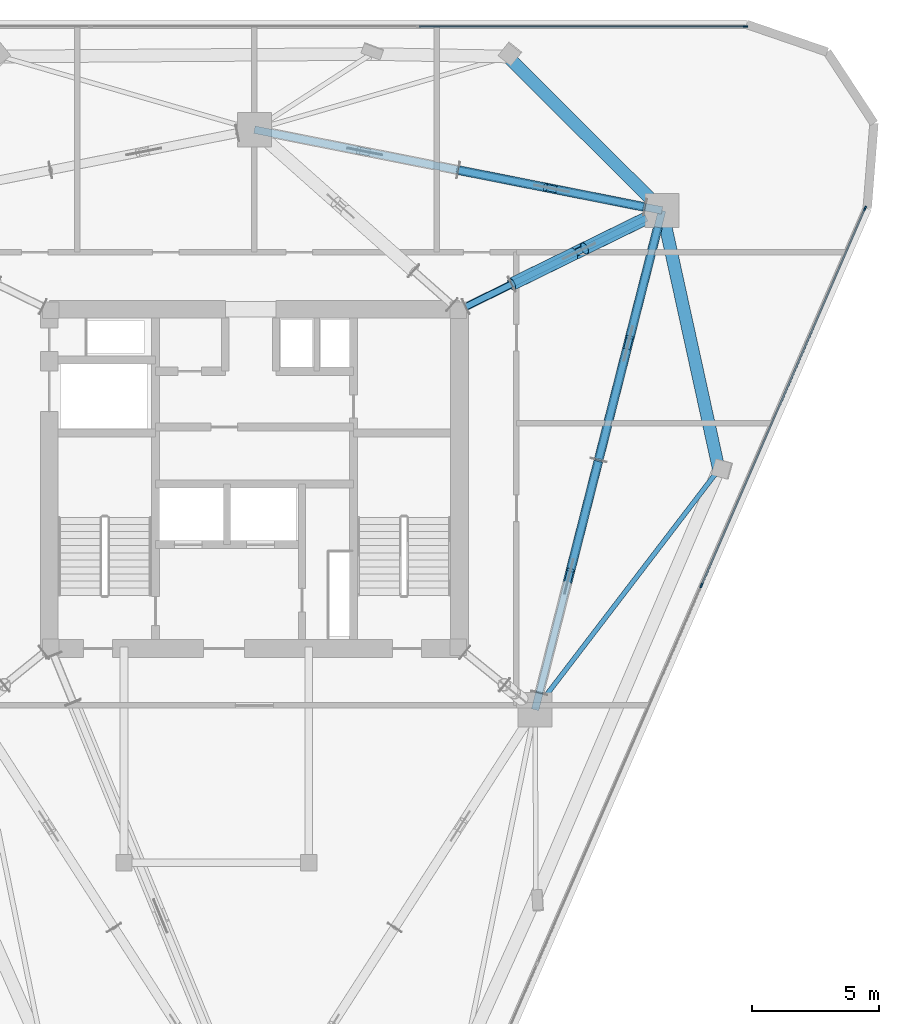
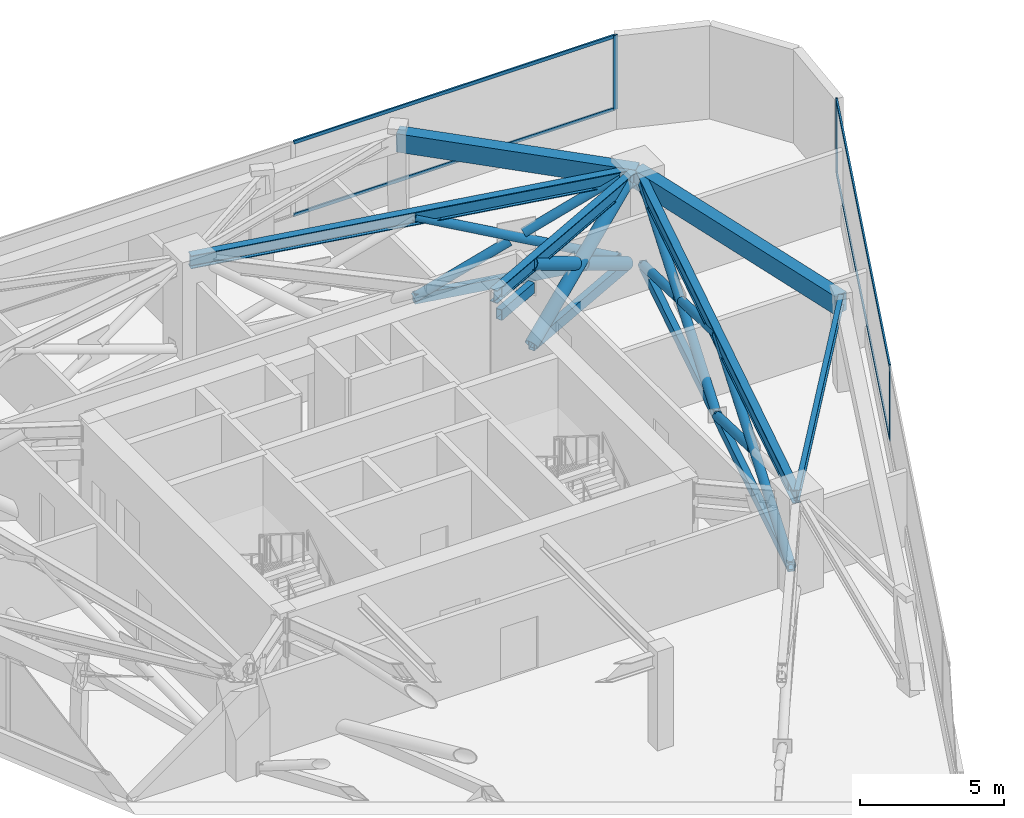
# One storey, part 7 of 12: 28 members, 6 beams, 2 elements without a shape of their own.
"""IFC4 building model written with IfcOpenShell, lengths in metres."""

from ifc_helpers import new_model, si_unit, direction, frame, origin, origin_2d, place, context, subcontext, project, spatial, rectangle, hollow_rectangle, hollow_circle, i_section, extrude, material, layer, layer_set, material_profile, profile_set, type_object, element, aggregate, save


model = new_model("IFC4")

# Units and contexts
model_context = context("Model", 3, precision=1e-05, world=origin(), true_north=direction((0.0, 1.0)))
body_context = subcontext(model_context, "Body", "Model", "MODEL_VIEW")
ifc_project = project(units=[si_unit("LENGTHUNIT", "METRE"), si_unit("AREAUNIT", "SQUARE_METRE"), si_unit("VOLUMEUNIT", "CUBIC_METRE"), si_unit("PLANEANGLEUNIT", "RADIAN"), si_unit("MASSUNIT", "GRAM", prefix="KILO")], contexts=[model_context])

# Site, building, storey
site_placement = place(None, origin())
site = spatial("IfcSite", under=ifc_project, at=site_placement, CompositionType="ELEMENT")
building_placement = place(site_placement, origin())
building = spatial("IfcBuilding", under=site, at=building_placement, Name="Talyreon Biosciences Tower", CompositionType="ELEMENT")
storey_placement = place(building_placement, frame((0.0, 0.0, 227.39990234375)))
storey = spatial("IfcBuildingStorey", under=building, at=storey_placement, Name="L60", CompositionType="ELEMENT", Elevation=227.39990234375)

# Members
ifc_material_1 = material(Name="Steel SM355", Category="steel")
ifc_material_profile_1 = material_profile(ifc_material_1, hollow_circle(Radius=0.177734375, WallThickness=0.01416015625, at=origin_2d()), Name="CHS 355.6x14.2")
ifc_profile_set_1 = profile_set([ifc_material_profile_1], Name="Steel SM355")
member_type_1 = type_object("IfcMemberType", Name="BeltBrace_CHS355", PredefinedType="BRACE", material=ifc_profile_set_1)
member_1_placement = place(storey_placement, frame((77.255126953125, 59.544189453125, 0.239990234375), z_axis=(0.231608539621, 0.910479494446, 0.342614323354), x_axis=(-0.969135299617, 0.246529452677, 0.0)))
element("IfcMember", 1, at=member_1_placement, inside=storey, type_object=member_type_1, Name="L60 Continuous Diagonal BELT-L60-B2S1A", PredefinedType="BRACE", context=body_context, shape_type="SweptSolid", body=[
    extrude(hollow_circle(Radius=0.177734375, WallThickness=0.01416015625, at=origin_2d()), origin(), (0.0, 0.0, 1.0), 10.099365234375),
])
member_2_placement = place(storey_placement, frame((79.59423828125, 68.739501953125, 0.239990234375), z_axis=(-0.23161064965, -0.910472980326, 0.34263020746), x_axis=(0.969134341584, -0.246533218781, 0.0)))
element("IfcMember", 2, at=member_2_placement, inside=storey, type_object=member_type_1, Name="L60 Split Diagonal BELT-L60-B2S1B-Lower", PredefinedType="BRACE", context=body_context, shape_type="SweptSolid", body=[
    extrude(hollow_circle(Radius=0.177734375, WallThickness=0.01416015625, at=origin_2d()), origin(), (0.0, 0.0, 1.0), 4.769775390625),
])
member_3_placement = place(storey_placement, frame((79.59423828125, 68.739501953125, 0.239990234375), z_axis=(0.231631416423, 0.910474396591, 0.342612405026), x_axis=(-0.969129151675, 0.246553619673, 0.0)))
element("IfcMember", 3, at=member_3_placement, inside=storey, type_object=member_type_1, Name="L60 Continuous Diagonal BELT-L60-B2S2A", PredefinedType="BRACE", context=body_context, shape_type="SweptSolid", body=[
    extrude(hollow_circle(Radius=0.177734375, WallThickness=0.01416015625, at=origin_2d()), origin(), (0.0, 0.0, 1.0), 10.099365234375),
])
for number, where, z_axis, x_axis, name in (
    (4, (81.93359375, 77.934814453125, 0.239990234375), (-0.23161064965, -0.910472980326, 0.34263020746), (0.969134341584, -0.246533218781, 0.0), "L60 Split Diagonal BELT-L60-B2S2B-Lower"),
    (5, (80.698974609375, 73.082275390625, 2.06591796875), (-0.23161064965, -0.910472980326, 0.34263020746), (0.969134341584, -0.246533218781, 0.0), "L60 Split Diagonal BELT-L60-B2S2B-Upper"),
):
    element("IfcMember", number, at=place(storey_placement, frame(where, z_axis=z_axis, x_axis=x_axis)), inside=storey, type_object=member_type_1, Name=name, PredefinedType="BRACE", context=body_context, shape_type="SweptSolid", body=[
        extrude(hollow_circle(Radius=0.177734375, WallThickness=0.01416015625, at=origin_2d()), origin(), (0.0, 0.0, 1.0), 4.769775390625),
    ])
member_4_placement = place(storey_placement, frame((81.430419921875, 78.731689453125, 0.239990234375), z_axis=(-0.891173230377, 0.176583506261, 0.417885796332), x_axis=(-0.194368289089, -0.980928625434, 0.0)))
element("IfcMember", 6, at=member_4_placement, inside=storey, type_object=member_type_1, Name="L60 Continuous Diagonal BELT-L60-B3S1A", PredefinedType="BRACE", context=body_context, shape_type="SweptSolid", body=[
    extrude(hollow_circle(Radius=0.177734375, WallThickness=0.01416015625, at=origin_2d()), origin(), (0.0, 0.0, 1.0), 8.2802734375),
])
member_5_placement = place(storey_placement, frame((74.05126953125, 80.19384765625, 0.239990234375), z_axis=(0.891172955279, -0.176590127121, 0.417883585204), x_axis=(0.194375359175, 0.98092722449, 0.0)))
element("IfcMember", 7, at=member_5_placement, inside=storey, type_object=member_type_1, Name="L60 Split Diagonal BELT-L60-B3S1B-Lower", PredefinedType="BRACE", context=body_context, shape_type="SweptSolid", body=[
    extrude(hollow_circle(Radius=0.177734375, WallThickness=0.01416015625, at=origin_2d()), origin(), (0.0, 0.0, 1.0), 3.860107421875),
])
member_6_placement = place(storey_placement, frame((77.990234375, 79.413330078125, 2.087158203125), z_axis=(0.891185971424, -0.176580174027, 0.417860032162), x_axis=(0.194362086003, 0.980929854538, 0.0)))
element("IfcMember", 8, at=member_6_placement, inside=storey, type_object=member_type_1, Name="L60 Split Diagonal BELT-L60-B3S1B-Upper", PredefinedType="BRACE", context=body_context, shape_type="SweptSolid", body=[
    extrude(hollow_circle(Radius=0.177734375, WallThickness=0.01416015625, at=origin_2d()), origin(), (0.0, 0.0, 1.0), 3.8603515625),
])
ifc_material_profile_2 = material_profile(ifc_material_1, hollow_rectangle(XDim=0.25, YDim=0.39990234375, WallThickness=0.01611328125, at=origin_2d()), Name="RHS 400x250x16")
ifc_profile_set_2 = profile_set([ifc_material_profile_2], Name="Steel SM355")
member_type_2 = type_object("IfcMemberType", Name="BeltChord_RHS400x250", PredefinedType="CHORD", material=ifc_profile_set_2)
for number, where, z_axis, x_axis, name in (
    (9, (77.255126953125, 59.544189453125, 0.239990234375), (0.246529452677, 0.969135299617, 0.0), (-0.969135299617, 0.246529452677, 0.0), "L60 Truss Bottom Chord BELT-L60-B2S1"),
    (10, (77.255126953125, 59.544189453125, 3.7001953125), (0.246529452677, 0.969135299617, 0.0), (-0.969135299617, 0.246529452677, 0.0), "L60 Truss Top Chord BELT-L60-B2S1"),
    (11, (79.59423828125, 68.739501953125, 0.239990234375), (0.246553619673, 0.969129151675, 0.0), (-0.969129151675, 0.246553619673, 0.0), "L60 Truss Bottom Chord BELT-L60-B2S2"),
    (12, (79.59423828125, 68.739501953125, 3.7001953125), (0.246553619673, 0.969129151675, 0.0), (-0.969129151675, 0.246553619673, 0.0), "L60 Truss Top Chord BELT-L60-B2S2"),
):
    element("IfcMember", number, at=place(storey_placement, frame(where, z_axis=z_axis, x_axis=x_axis)), inside=storey, type_object=member_type_2, Name=name, PredefinedType="CHORD", context=body_context, shape_type="SweptSolid", body=[
        extrude(hollow_rectangle(XDim=0.25, YDim=0.39990234375, WallThickness=0.01611328125, at=origin_2d()), origin(), (0.0, 0.0, 1.0), 9.48828125),
    ])
for number, where, z_axis, x_axis, name in (
    (13, (81.430419921875, 78.731689453125, 0.239990234375), (-0.980928625434, 0.194368289089, 0.0), (-0.194368289089, -0.980928625434, 0.0), "L60 Truss Bottom Chord BELT-L60-B3S1"),
    (14, (81.430419921875, 78.731689453125, 3.7001953125), (-0.980928625434, 0.194368289089, 0.0), (-0.194368289089, -0.980928625434, 0.0), "L60 Truss Top Chord BELT-L60-B3S1"),
):
    element("IfcMember", number, at=place(storey_placement, frame(where, z_axis=z_axis, x_axis=x_axis)), inside=storey, type_object=member_type_2, Name=name, PredefinedType="CHORD", context=body_context, shape_type="SweptSolid", body=[
        extrude(hollow_rectangle(XDim=0.25, YDim=0.39990234375, WallThickness=0.01611328125, at=origin_2d()), origin(), (0.0, 0.0, 1.0), 7.522705078125),
    ])

# Curtain wall, member
ifc_material_2 = material(Name="Thermally broken aluminium and low-E glazing", Category="aluminium")
ifc_layer = layer(ifc_material_2, 0.179931640625)
ifc_layer_set = layer_set([ifc_layer], Name="Thermally broken aluminium and low-E glazing")
curtain_wall_type = type_object("IfcCurtainWallType", Name="CurtainWall_Zone4Optical", PredefinedType="NOTDEFINED", material=ifc_layer_set)
curtain_wall_1_placement = place(storey_placement, origin())
curtain_wall_1 = element("IfcCurtainWall", 15, at=curtain_wall_1_placement, inside=storey, type_object=curtain_wall_type, Name="L60 Unitised Curtain Wall FCW-L60-04", PredefinedType="NOTDEFINED")
ifc_material_3 = material(Name="Anodised thermally broken aluminium", Category="aluminium")
ifc_material_profile_3 = material_profile(ifc_material_3, rectangle(XDim=0.06494140625, YDim=0.179931640625, at=origin_2d()), Name="ALUM MULLION 65x180")
ifc_profile_set_3 = profile_set([ifc_material_profile_3], Name="Anodised thermally broken aluminium")
member_type_3 = type_object("IfcMemberType", Name="CWMullion_65x180", PredefinedType="MULLION", material=ifc_profile_set_3)
member_7_placement = place(storey_placement, frame((85.402099609375, 85.87158203125, 0.81005859375), z_axis=(0.0, 0.0, 1.0), x_axis=(0.0, 1.0, 0.0)))
member_7 = element("IfcMember", 16, at=member_7_placement, type_object=member_type_3, Name="CW5 mullion 4", PredefinedType="MULLION", context=body_context, shape_type="SweptSolid", body=[
    extrude(rectangle(XDim=0.06494140625, YDim=0.179931640625, at=origin_2d()), origin(), (0.0, 0.0, 1.0), 3.14013671875),
])

# Curtain wall, members
curtain_wall_2_placement = place(storey_placement, origin())
curtain_wall_2 = element("IfcCurtainWall", 17, at=curtain_wall_2_placement, inside=storey, type_object=curtain_wall_type, Name="L60 Unitised Curtain Wall FCW-L60-08", PredefinedType="NOTDEFINED")
member_8_placement = place(storey_placement, frame((90.118408203125, 78.683349609375, 0.81005859375), z_axis=(0.0, 0.0, 1.0), x_axis=(0.917336640876, -0.398112405366, 0.0)))
member_8 = element("IfcMember", 18, at=member_8_placement, type_object=member_type_3, Name="CW5 mullion 1", PredefinedType="MULLION", context=body_context, shape_type="SweptSolid", body=[
    extrude(rectangle(XDim=0.06494140625, YDim=0.179931640625, at=origin_2d()), origin(), (0.0, 0.0, 1.0), 3.14013671875),
])
member_9_placement = place(storey_placement, frame((83.6533203125, 63.785888671875, 0.81005859375), z_axis=(0.0, 0.0, 1.0), x_axis=(0.917336640876, -0.398112405366, 0.0)))
member_9 = element("IfcMember", 19, at=member_9_placement, type_object=member_type_3, Name="CW5 mullion 2", PredefinedType="MULLION", context=body_context, shape_type="SweptSolid", body=[
    extrude(rectangle(XDim=0.06494140625, YDim=0.179931640625, at=origin_2d()), origin(), (0.0, 0.0, 1.0), 3.14013671875),
])

# Member
ifc_material_profile_4 = material_profile(ifc_material_3, rectangle(XDim=0.06494140625, YDim=0.139892578125, at=origin_2d()), Name="ALUM TRANSOM 65x140")
ifc_profile_set_4 = profile_set([ifc_material_profile_4], Name="Anodised thermally broken aluminium")
member_type_4 = type_object("IfcMemberType", Name="CWTransom_65x140", PredefinedType="USERDEFINED", material=ifc_profile_set_4)
member_10_placement = place(storey_placement, frame((72.5107421875, 85.87158203125, 0.842529296875), z_axis=(1.0, 0.0, 0.0), x_axis=(0.0, 1.0, 0.0)))
member_10 = element("IfcMember", 20, at=member_10_placement, type_object=member_type_4, Name="CW5 transom 3.1", ObjectType="TRANSOM", PredefinedType="USERDEFINED", context=body_context, shape_type="SweptSolid", body=[
    extrude(rectangle(XDim=0.06494140625, YDim=0.139892578125, at=origin_2d()), origin(), (0.0, 0.0, 1.0), 12.85888671875),
])

member_11_placement = place(storey_placement, frame((72.5107421875, 85.87158203125, 3.91748046875), z_axis=(1.0, 0.0, 0.0), x_axis=(0.0, 1.0, 0.0)))
member_11 = element("IfcMember", 21, at=member_11_placement, type_object=member_type_4, Name="CW5 transom 3.2", ObjectType="TRANSOM", PredefinedType="USERDEFINED", context=body_context, shape_type="SweptSolid", body=[
    extrude(rectangle(XDim=0.06494140625, YDim=0.139892578125, at=origin_2d()), origin(), (0.0, 0.0, 1.0), 12.85888671875),
])

aggregate(curtain_wall_1, [member_7, member_10, member_11])

member_12_placement = place(storey_placement, frame((90.10546875, 78.653564453125, 0.842529296875), z_axis=(-0.398099588732, -0.917342203025, 0.0), x_axis=(0.917342203025, -0.398099588732, 0.0)))
member_12 = element("IfcMember", 22, at=member_12_placement, type_object=member_type_4, Name="CW5 transom 1.1", ObjectType="TRANSOM", PredefinedType="USERDEFINED", context=body_context, shape_type="SweptSolid", body=[
    extrude(rectangle(XDim=0.06494140625, YDim=0.139892578125, at=origin_2d()), origin(), (0.0, 0.0, 1.0), 16.1748046875),
])

member_13_placement = place(storey_placement, frame((90.10546875, 78.653564453125, 3.91748046875), z_axis=(-0.398099588732, -0.917342203025, 0.0), x_axis=(0.917342203025, -0.398099588732, 0.0)))
member_13 = element("IfcMember", 23, at=member_13_placement, type_object=member_type_4, Name="CW5 transom 1.2", ObjectType="TRANSOM", PredefinedType="USERDEFINED", context=body_context, shape_type="SweptSolid", body=[
    extrude(rectangle(XDim=0.06494140625, YDim=0.139892578125, at=origin_2d()), origin(), (0.0, 0.0, 1.0), 16.1748046875),
])

aggregate(curtain_wall_2, [member_8, member_9, member_12, member_13])

# Beams
ifc_material_4 = material(Name="Precast concrete C45/55", Category="concrete")
ifc_material_profile_5 = material_profile(ifc_material_4, rectangle(XDim=0.5, YDim=0.780029296875, at=origin_2d()), Name="RCB 500x780")
ifc_profile_set_5 = profile_set([ifc_material_profile_5], Name="Precast concrete C45/55")
beam_type_1 = type_object("IfcBeamType", Name="ExpressedSpandrel_500x780", PredefinedType="SPANDREL", material=ifc_profile_set_5)
beam_1_placement = place(storey_placement, frame((84.342529296875, 68.37109375, 3.56005859375), z_axis=(-0.213966691033, 0.976840956926, 0.0), x_axis=(-0.976840956926, -0.213966691033, 0.0)))
element("IfcBeam", 24, at=beam_1_placement, inside=storey, type_object=beam_type_1, Name="L60 Expressed Horizontal Concrete Spandrel 04", PredefinedType="SPANDREL", context=body_context, shape_type="SweptSolid", body=[
    extrude(rectangle(XDim=0.5, YDim=0.780029296875, at=origin_2d()), origin(), (0.0, 0.0, 1.0), 10.469970703125),
])
beam_2_placement = place(storey_placement, frame((82.102294921875, 78.5986328125, 3.56005859375), z_axis=(-0.70790039074, 0.706312279937, 0.0), x_axis=(-0.706312279937, -0.70790039074, 0.0)))
element("IfcBeam", 25, at=beam_2_placement, inside=storey, type_object=beam_type_1, Name="L60 Expressed Horizontal Concrete Spandrel 05", PredefinedType="SPANDREL", context=body_context, shape_type="SweptSolid", body=[
    extrude(rectangle(XDim=0.5, YDim=0.780029296875, at=origin_2d()), origin(), (0.0, 0.0, 1.0), 8.60888671875),
])

# Members
ifc_material_profile_6 = material_profile(ifc_material_1, hollow_circle(Radius=0.25390625, WallThickness=0.02001953125, at=origin_2d()), Name="CHS 508x20")
ifc_profile_set_6 = profile_set([ifc_material_profile_6], Name="Steel SM355")
member_type_5 = type_object("IfcMemberType", Name="OutriggerBrace_CHS508", PredefinedType="BRACE", material=ifc_profile_set_6)
member_14_placement = place(storey_placement, frame((76.159912109375, 75.684814453125, 0.239990234375), z_axis=(0.77561055575, 0.3803232183, 0.503768315231), x_axis=(-0.440271049639, 0.897864913475, 0.0)))
element("IfcMember", 26, at=member_14_placement, inside=storey, type_object=member_type_5, Name="L60 Continuous Diagonal OUT-L60-R3A", PredefinedType="BRACE", context=body_context, shape_type="SweptSolid", body=[
    extrude(hollow_circle(Radius=0.25390625, WallThickness=0.02001953125, at=origin_2d()), origin(), (0.0, 0.0, 1.0), 6.86865234375),
])
for number, where, z_axis, x_axis, name in (
    (27, (81.4873046875, 78.297119140625, 0.239990234375), (-0.775568565041, -0.38035368549, 0.503809959067), (0.440318698791, -0.897841546986, 0.0), "L60 Split Diagonal OUT-L60-R3B-Lower"),
    (28, (78.6064453125, 76.884521484375, 2.111083984375), (-0.775599406471, -0.380330853547, 0.503779716268), (0.4402832772, -0.897858917547, 0.0), "L60 Split Diagonal OUT-L60-R3B-Upper"),
):
    element("IfcMember", number, at=place(storey_placement, frame(where, z_axis=z_axis, x_axis=x_axis)), inside=storey, type_object=member_type_5, Name=name, PredefinedType="BRACE", context=body_context, shape_type="SweptSolid", body=[
        extrude(hollow_circle(Radius=0.25390625, WallThickness=0.02001953125, at=origin_2d()), origin(), (0.0, 0.0, 1.0), 3.154296875),
    ])
ifc_material_profile_7 = material_profile(ifc_material_1, hollow_rectangle(XDim=0.25, YDim=0.449951171875, WallThickness=0.01611328125, at=origin_2d()), Name="RHS 450x250x16")
ifc_profile_set_7 = profile_set([ifc_material_profile_7], Name="Steel SM355")
member_type_6 = type_object("IfcMemberType", Name="OutriggerChord_RHS450x250", PredefinedType="CHORD", material=ifc_profile_set_7)
for number, where, z_axis, x_axis, name in (
    (29, (74.350830078125, 74.797607421875, 3.7001953125), (0.897841833821, 0.440318113914, 0.0), (-0.440318113914, 0.897841833821, 0.0), "L60 Outrigger Core Top Tie 3"),
    (30, (74.350830078125, 74.797607421875, 2.7001953125), (0.897841833821, 0.440318113914, 0.0), (-0.440318113914, 0.897841833821, 0.0), "L60 Outrigger Core Plenum Tie 3"),
):
    element("IfcMember", number, at=place(storey_placement, frame(where, z_axis=z_axis, x_axis=x_axis)), inside=storey, type_object=member_type_6, Name=name, PredefinedType="CHORD", context=body_context, shape_type="SweptSolid", body=[
        extrude(hollow_rectangle(XDim=0.25, YDim=0.449951171875, WallThickness=0.01611328125, at=origin_2d()), origin(), (0.0, 0.0, 1.0), 2.014892578125),
    ])
for number, where, z_axis, x_axis, name in (
    (31, (76.159912109375, 75.684814453125, 0.239990234375), (0.897864913475, 0.440271049639, 0.0), (-0.440271049639, 0.897864913475, 0.0), "L60 Truss Bottom Chord OUT-L60-R3"),
    (32, (76.159912109375, 75.684814453125, 3.7001953125), (0.897864913475, 0.440271049639, 0.0), (-0.440271049639, 0.897864913475, 0.0), "L60 Truss Top Chord OUT-L60-R3"),
):
    element("IfcMember", number, at=place(storey_placement, frame(where, z_axis=z_axis, x_axis=x_axis)), inside=storey, type_object=member_type_6, Name=name, PredefinedType="CHORD", context=body_context, shape_type="SweptSolid", body=[
        extrude(hollow_rectangle(XDim=0.25, YDim=0.449951171875, WallThickness=0.01611328125, at=origin_2d()), origin(), (0.0, 0.0, 1.0), 5.933349609375),
    ])

# Beams
ifc_material_profile_8 = material_profile(ifc_material_1, i_section(OverallWidth=0.300048828125, OverallDepth=0.550048828125, WebThickness=0.014892578125, FlangeThickness=0.029052734375, FilletRadius=0.027099609375, at=origin_2d()), Name="HE550B")
ifc_profile_set_8 = profile_set([ifc_material_profile_8], Name="Steel SM355")
beam_type_2 = type_object("IfcBeamType", Name="SteelBeam_HE550B", PredefinedType="BEAM", material=ifc_profile_set_8)
beam_3_placement = place(storey_placement, frame((77.086181640625, 58.88037109375, 3.675048828125), z_axis=(0.246537082299, 0.969133358755, 0.0), x_axis=(-0.969133358755, 0.246537082299, 0.0)))
element("IfcBeam", 33, at=beam_3_placement, inside=storey, type_object=beam_type_2, Name="L60 Mega-Ring Girder 2", PredefinedType="BEAM", context=body_context, shape_type="SweptSolid", body=[
    extrude(i_section(OverallWidth=0.300048828125, OverallDepth=0.550048828125, WebThickness=0.014892578125, FlangeThickness=0.029052734375, FilletRadius=0.027099609375, at=origin_2d()), origin(), (0.0, 0.0, 1.0), 20.34619140625),
])
beam_4_placement = place(storey_placement, frame((82.102294921875, 78.5986328125, 3.675048828125), z_axis=(-0.980933730698, 0.194342522311, 0.0), x_axis=(-0.194342522311, -0.980933730698, 0.0)))
element("IfcBeam", 34, at=beam_4_placement, inside=storey, type_object=beam_type_2, Name="L60 Mega-Ring Girder 3", PredefinedType="BEAM", context=body_context, shape_type="SweptSolid", body=[
    extrude(i_section(OverallWidth=0.300048828125, OverallDepth=0.550048828125, WebThickness=0.014892578125, FlangeThickness=0.029052734375, FilletRadius=0.027099609375, at=origin_2d()), origin(), (0.0, 0.0, 1.0), 16.415283203125),
])
beam_5_placement = place(storey_placement, frame((74.050048828125, 74.64990234375, 3.675048828125), z_axis=(0.897852360314, 0.440296648952, 0.0), x_axis=(-0.440296648952, 0.897852360314, 0.0)))
element("IfcBeam", 35, at=beam_5_placement, inside=storey, type_object=beam_type_2, Name="L60 Radial Primary Girder 3", PredefinedType="BEAM", context=body_context, shape_type="SweptSolid", body=[
    extrude(i_section(OverallWidth=0.300048828125, OverallDepth=0.550048828125, WebThickness=0.014892578125, FlangeThickness=0.029052734375, FilletRadius=0.027099609375, at=origin_2d()), origin(), (0.0, 0.0, 1.0), 8.96826171875),
])
ifc_material_profile_9 = material_profile(ifc_material_1, i_section(OverallWidth=0.18994140625, OverallDepth=0.449951171875, WebThickness=0.009521484375, FlangeThickness=0.0146484375, FilletRadius=0.02099609375, at=origin_2d()), Name="IPE450")
ifc_profile_set_9 = profile_set([ifc_material_profile_9], Name="Steel SM355")
beam_type_3 = type_object("IfcBeamType", Name="SteelJoist_IPE450", PredefinedType="JOIST", material=ifc_profile_set_9)
beam_6_placement = place(storey_placement, frame((77.086181640625, 58.88037109375, 3.72509765625), z_axis=(0.607383355472, 0.794408874255, 0.0), x_axis=(-0.794408874255, 0.607383355472, 0.0)))
element("IfcBeam", 36, at=beam_6_placement, inside=storey, type_object=beam_type_3, Name="L60 Radial Composite Floor Joist PC-SE2", PredefinedType="JOIST", context=body_context, shape_type="SweptSolid", body=[
    extrude(i_section(OverallWidth=0.18994140625, OverallDepth=0.449951171875, WebThickness=0.009521484375, FlangeThickness=0.0146484375, FilletRadius=0.02099609375, at=origin_2d()), origin(), (0.0, 0.0, 1.0), 11.94677734375),
])

save(model, "model.ifc")
